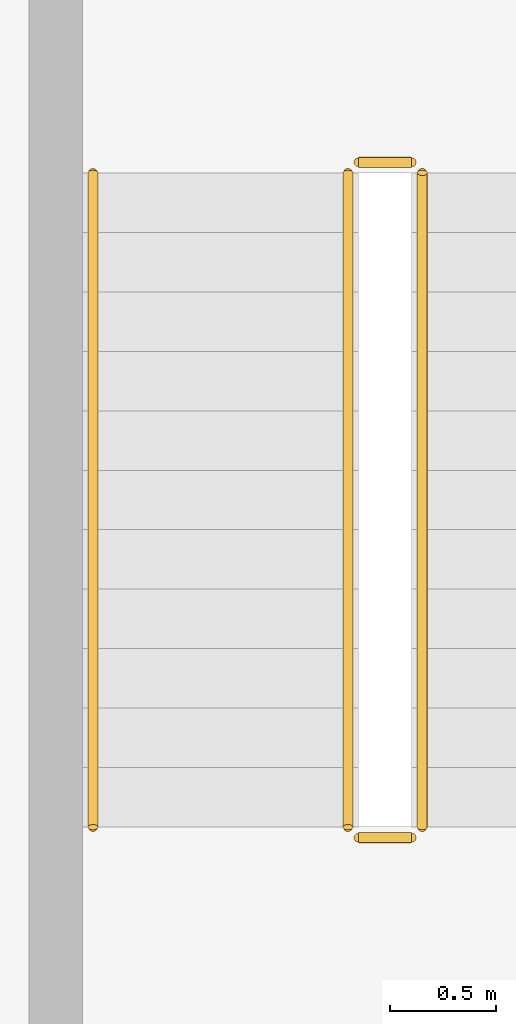
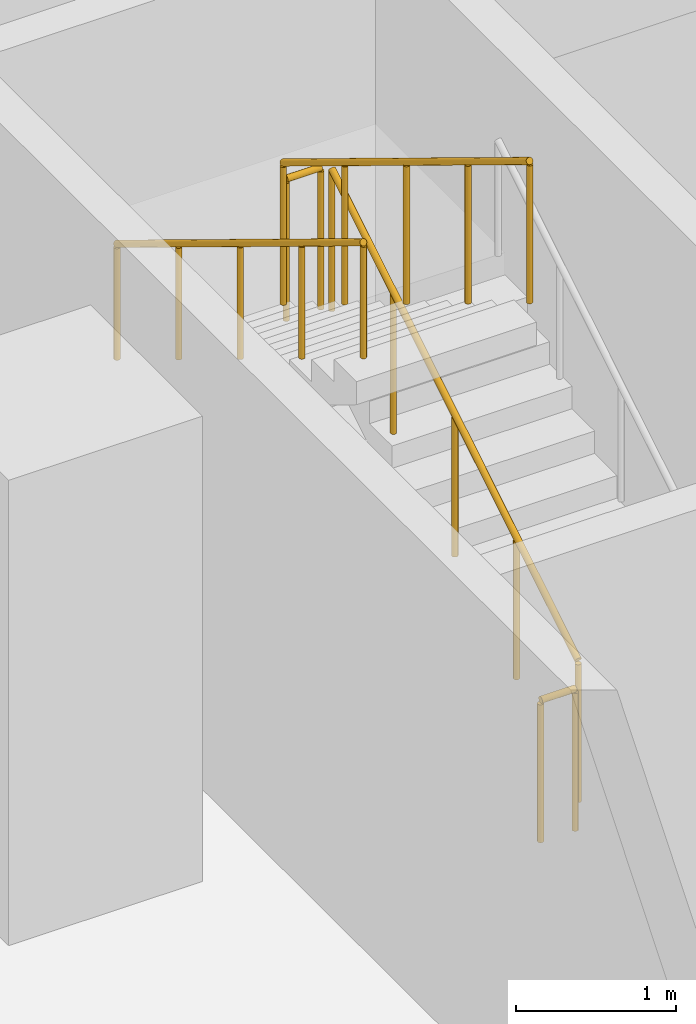
# One storey, part 26 of 29: 5 railings.
"""IFC4 building model written with IfcOpenShell, lengths in metres."""

import ifcopenshell
import ifcopenshell.guid

model = None  # the IFC model being written
_history = None  # IfcOwnerHistory: only IFC2X3 demands one
_inside = {}  # id of a spatial element -> (the spatial element, [elements in it])
_under = {}  # id of a project, library or spatial element -> (it, [spatial elements below it])
_declared = {}  # id of a project -> (the project, [libraries it declares])
_typed = {}  # id of a type object -> (the type object, [elements of that type])
_made_of = {}  # id of a material, layer set ... -> (it, [elements and type objects made of it])


def new_model(schema):
    """Start an empty IFC model of exactly this schema.

    Asked for "IFC4X3", IfcOpenShell would pick the latest addendum, in which some entities
    have other attributes; the version numbers below select the first issue.
    IFC2X3 requires an IfcOwnerHistory on every rooted entity: one is made here for all.
    """
    global model, _history
    if schema == "IFC4X3":
        model = ifcopenshell.file(schema_version=(4, 3, 0, 0))
    else:
        model = ifcopenshell.file(schema=schema)
    _inside.clear()
    _under.clear()
    _declared.clear()
    _typed.clear()
    _made_of.clear()
    _history = None
    if model.schema == "IFC2X3":
        org = make("IfcOrganization", Name="unknown")
        user = make(
            "IfcPersonAndOrganization",
            ThePerson=make("IfcPerson", FamilyName="unknown"),
            TheOrganization=org,
        )
        app = make(
            "IfcApplication",
            ApplicationDeveloper=org,
            Version="unknown",
            ApplicationFullName="unknown",
            ApplicationIdentifier="unknown",
        )
        _history = make(
            "IfcOwnerHistory",
            OwningUser=user,
            OwningApplication=app,
            ChangeAction="ADDED",
            CreationDate=0,
        )
    return model


def make(cls, **values):
    """One entity of the class cls with the attributes given. An attribute that is None is left unset."""
    return model.create_entity(
        cls, **{name: value for name, value in values.items() if value is not None}
    )


def rooted(cls, **values):
    """An entity with a GlobalId (a new one), such as an element, a storey or a relation."""
    return make(cls, GlobalId=ifcopenshell.guid.new(), OwnerHistory=_history, **values)


def si_unit(unit_type, name, prefix=None):
    """IfcSIUnit, for example si_unit("LENGTHUNIT", "METRE", prefix="MILLI")."""
    return make("IfcSIUnit", UnitType=unit_type, Prefix=prefix, Name=name)


def assignment(units):
    """IfcUnitAssignment: the units of a project."""
    return None if units is None else make("IfcUnitAssignment", Units=units)


def point(xyz):
    """IfcCartesianPoint."""
    return None if xyz is None else make("IfcCartesianPoint", Coordinates=xyz)


def direction(xyz):
    """IfcDirection."""
    return None if xyz is None else make("IfcDirection", DirectionRatios=xyz)


def frame(location, z_axis=None, x_axis=None):
    """IfcAxis2Placement3D, a coordinate frame: its origin and axes. An axis left out is left unset."""
    return make(
        "IfcAxis2Placement3D",
        Location=point(location),
        Axis=direction(z_axis),
        RefDirection=direction(x_axis),
    )


def frame_2d(location, x_axis=None):
    """IfcAxis2Placement2D, a coordinate frame in the plane: its origin and x axis."""
    return make(
        "IfcAxis2Placement2D", Location=point(location), RefDirection=direction(x_axis)
    )


def origin():
    """The frame at (0, 0, 0) with its axes left unset."""
    return frame((0.0, 0.0, 0.0))


def origin_2d():
    """The frame at (0, 0) in the plane with its x axis left unset."""
    return frame_2d((0.0, 0.0))


def place(relative_to, where):
    """IfcLocalPlacement: puts the frame where relative to a parent placement (None: the world)."""
    return make(
        "IfcLocalPlacement", PlacementRelTo=relative_to, RelativePlacement=where
    )


def context(
    kind, dimensions, precision=None, world=None, true_north=None, identifier=None
):
    """IfcGeometricRepresentationContext, for example the 3D "Model" context."""
    return make(
        "IfcGeometricRepresentationContext",
        ContextIdentifier=identifier,
        ContextType=kind,
        CoordinateSpaceDimension=dimensions,
        Precision=precision,
        WorldCoordinateSystem=world,
        TrueNorth=true_north,
    )


def subcontext(parent, identifier, kind, view, scale=None):
    """IfcGeometricRepresentationSubContext, for example "Body" below "Model"."""
    return make(
        "IfcGeometricRepresentationSubContext",
        ContextIdentifier=identifier,
        ContextType=kind,
        ParentContext=parent,
        TargetScale=scale,
        TargetView=view,
    )


def project(units=None, contexts=None):
    """IfcProject with its units and contexts."""
    return rooted(
        "IfcProject",
        Name="project",
        RepresentationContexts=contexts,
        UnitsInContext=assignment(units),
    )


def spatial(cls, under=None, at=None, **own):
    """A site, building, storey or space (cls), placed at a placement, below another one or the project."""
    s = rooted(cls, ObjectPlacement=at, **own)
    if under is not None:
        _under.setdefault(under.id(), (under, []))[1].append(s)
    return s


def profile(cls, at=None, kind="AREA", **sizes):
    """A parametric profile (cls). Its sizes go by their IFC names, for example OverallWidth=200.0."""
    return make(cls, ProfileType=kind, Position=at, **sizes)


def circle(**sizes):
    """IfcCircleProfileDef."""
    return profile("IfcCircleProfileDef", **sizes)


def extrude(swept, where, along, depth):
    """IfcExtrudedAreaSolid: the profile swept, set in the frame where, extruded along a direction by depth."""
    return make(
        "IfcExtrudedAreaSolid",
        SweptArea=swept,
        Position=where,
        ExtrudedDirection=direction(along),
        Depth=depth,
    )


def shape(context_of_items, identifier, shape_type, items):
    """IfcShapeRepresentation: the items that make up one representation, for example the "Body"."""
    return make(
        "IfcShapeRepresentation",
        ContextOfItems=context_of_items,
        RepresentationIdentifier=identifier,
        RepresentationType=shape_type,
        Items=items,
    )


def material(Name=None, Category=None):
    """IfcMaterial."""
    return make("IfcMaterial", Name=Name, Category=Category)


def made_of(thing, what):
    """Note that an element or type object is made of a material, layer set ...; save() writes the relation."""
    if what is not None:
        _made_of.setdefault(what.id(), (what, []))[1].append(thing)
    return thing


def type_object(cls, material=None, **own):
    """A type object (cls), such as IfcWallType, which elements share."""
    return made_of(rooted(cls, **own), material)


def element(
    cls,
    number,
    at=None,
    inside=None,
    cuts=None,
    type_object=None,
    material=None,
    context=None,
    identifier="Body",
    shape_type=None,
    held_by="IfcProductDefinitionShape",
    body=None,
    shapes=None,
    **own,
):
    """One element of the class cls, such as IfcWall. Its Tag is "e" and its number.

    at: its placement. inside: the storey or other place that contains it. cuts: it is an
    opening in that element (IfcRelVoidsElement). A single representation is given by context,
    identifier, shape_type and body (its items); several are given by shapes. held_by: the class
    of the entity that holds the representations. save() writes the other relations.
    """
    e = rooted(cls, Tag="e%d" % number, ObjectPlacement=at, **own)
    if body is not None:
        shapes = [shape(context, identifier, shape_type, body)]
    if shapes is not None:
        e.Representation = make(held_by, Representations=shapes)
    if inside is not None:
        _inside.setdefault(inside.id(), (inside, []))[1].append(e)
    if cuts is not None:
        rooted(
            "IfcRelVoidsElement", RelatingBuildingElement=cuts, RelatedOpeningElement=e
        )
    if type_object is not None:
        _typed.setdefault(type_object.id(), (type_object, []))[1].append(e)
    return made_of(e, material)


def aggregate(whole, parts):
    """IfcRelAggregates: a whole, such as a stair, and the parts it consists of."""
    return rooted("IfcRelAggregates", RelatingObject=whole, RelatedObjects=parts)


def save(model, path):
    """Write the relations noted so far, then the file.

    IfcRelAggregates (storeys below a building ...), IfcRelContainedInSpatialStructure (elements
    in a storey), IfcRelDefinesByType, IfcRelAssociatesMaterial and IfcRelDeclares: one each for
    every whole, place, type object, material and project.
    """
    for whole, parts in _under.values():
        aggregate(whole, parts)
    for where, things in _inside.values():
        rooted(
            "IfcRelContainedInSpatialStructure",
            RelatedElements=things,
            RelatingStructure=where,
        )
    for kind, things in _typed.values():
        rooted("IfcRelDefinesByType", RelatedObjects=things, RelatingType=kind)
    for what, things in _made_of.values():
        rooted("IfcRelAssociatesMaterial", RelatedObjects=things, RelatingMaterial=what)
    for by, libraries in _declared.values():
        rooted("IfcRelDeclares", RelatingContext=by, RelatedDefinitions=libraries)
    model.write(path)


model = new_model("IFC4")

# Units and contexts
model_context = context("Model", 3, precision=1e-05, world=origin(), true_north=direction((0.0, 1.0)))
body_context = subcontext(model_context, "Body", "Model", "MODEL_VIEW")
ifc_project = project(units=[si_unit("LENGTHUNIT", "METRE"), si_unit("AREAUNIT", "SQUARE_METRE"), si_unit("VOLUMEUNIT", "CUBIC_METRE"), si_unit("PLANEANGLEUNIT", "RADIAN"), si_unit("MASSUNIT", "GRAM", prefix="KILO")], contexts=[model_context])

# Site, building, storey
site_placement = place(None, origin())
site = spatial("IfcSite", under=ifc_project, at=site_placement, CompositionType="ELEMENT")
building_placement = place(site_placement, origin())
building = spatial("IfcBuilding", under=site, at=building_placement, Name="Mahtab Terrace Research Tower", CompositionType="ELEMENT")
storey_placement = place(building_placement, frame((0.0, 0.0, 113.5)))
storey = spatial("IfcBuildingStorey", under=building, at=storey_placement, Name="L26", CompositionType="ELEMENT", Elevation=113.5)

# Railings
ifc_material = material(Name="Stainless steel AISI 304", Category="steel")
railing_type_1 = type_object("IfcRailingType", Name="Stair guard 1100", PredefinedType="GUARDRAIL", material=ifc_material)
railing_1_placement = place(storey_placement, frame((21.050048828125, 10.175048828125, 0.1708984375)))
element("IfcRailing", 1, at=railing_1_placement, inside=storey, type_object=railing_type_1, Name="L26 ST3 stair guard 1", PredefinedType="GUARDRAIL", context=body_context, shape_type="SweptSolid", body=[
    extrude(circle(Radius=0.02392578125, at=origin_2d()), frame((0.0, 0.0, 1.076171875), z_axis=(0.0, 0.853647949592, 0.520850437417), x_axis=(-1.0, 0.0, 0.0)), (0.0, 0.0, 1.0), 3.60791015625),
    extrude(circle(Radius=0.02099609375, at=origin_2d()), origin(), (0.0, 0.0, 1.0), 1.052001953125),
    extrude(circle(Radius=0.02099609375, at=origin_2d()), frame((0.0, 0.77001953125, 0.4697265625)), (0.0, 0.0, 1.0), 1.052001953125),
    extrude(circle(Radius=0.02099609375, at=origin_2d()), frame((0.0, 1.5400390625, 0.939453125)), (0.0, 0.0, 1.0), 1.052001953125),
    extrude(circle(Radius=0.02099609375, at=origin_2d()), frame((0.0, 2.309814453125, 1.409423828125)), (0.0, 0.0, 1.0), 1.052001953125),
    extrude(circle(Radius=0.02099609375, at=origin_2d()), frame((0.0, 3.079833984375, 1.879150390625)), (0.0, 0.0, 1.0), 1.052001953125),
])
railing_2_placement = place(storey_placement, frame((21.0, 13.304931640625, 2.050048828125)))
element("IfcRailing", 2, at=railing_2_placement, inside=storey, type_object=railing_type_1, Name="L26 ST3 stair guard 2", PredefinedType="GUARDRAIL", context=body_context, shape_type="SweptSolid", body=[
    extrude(circle(Radius=0.02392578125, at=origin_2d()), frame((0.0, 0.0, 1.076171875), z_axis=(-1.0, 0.0, 0.0), x_axis=(0.0, -1.0, 0.0)), (0.0, 0.0, 1.0), 0.25),
    extrude(circle(Radius=0.02099609375, at=origin_2d()), origin(), (0.0, 0.0, 1.0), 1.052001953125),
    extrude(circle(Radius=0.02099609375, at=origin_2d()), frame((-0.25, 0.0, 0.0)), (0.0, 0.0, 1.0), 1.052001953125),
])
railing_3_placement = place(storey_placement, frame((20.699951171875, 13.2548828125, 2.220947265625)))
element("IfcRailing", 3, at=railing_3_placement, inside=storey, type_object=railing_type_1, Name="L26 ST3 stair guard 3", PredefinedType="GUARDRAIL", context=body_context, shape_type="SweptSolid", body=[
    extrude(circle(Radius=0.02392578125, at=origin_2d()), frame((0.0, 0.0, 1.076171875), z_axis=(0.0, -0.853647949592, 0.520850437417), x_axis=(1.0, 0.0, 0.0)), (0.0, 0.0, 1.0), 3.60791015625),
    extrude(circle(Radius=0.02099609375, at=origin_2d()), origin(), (0.0, 0.0, 1.0), 1.052001953125),
    extrude(circle(Radius=0.02099609375, at=origin_2d()), frame((0.0, -0.77001953125, 0.4697265625)), (0.0, 0.0, 1.0), 1.052001953125),
    extrude(circle(Radius=0.02099609375, at=origin_2d()), frame((0.0, -1.5400390625, 0.939453125)), (0.0, 0.0, 1.0), 1.052001953125),
    extrude(circle(Radius=0.02099609375, at=origin_2d()), frame((0.0, -2.309814453125, 1.409423828125)), (0.0, 0.0, 1.0), 1.052001953125),
    extrude(circle(Radius=0.02099609375, at=origin_2d()), frame((0.0, -3.079833984375, 1.879150390625)), (0.0, 0.0, 1.0), 1.052001953125),
])
railing_4_placement = place(storey_placement, frame((21.0, 10.125, 0.0)))
element("IfcRailing", 4, at=railing_4_placement, inside=storey, type_object=railing_type_1, Name="L26 ST3 stair guard 4", PredefinedType="GUARDRAIL", context=body_context, shape_type="SweptSolid", body=[
    extrude(circle(Radius=0.02392578125, at=origin_2d()), frame((0.0, 0.0, 1.076171875), z_axis=(-1.0, 0.0, 0.0), x_axis=(0.0, -1.0, 0.0)), (0.0, 0.0, 1.0), 0.25),
    extrude(circle(Radius=0.02099609375, at=origin_2d()), origin(), (0.0, 0.0, 1.0), 1.052001953125),
    extrude(circle(Radius=0.02099609375, at=origin_2d()), frame((-0.25, 0.0, 0.0)), (0.0, 0.0, 1.0), 1.052001953125),
])
railing_type_2 = type_object("IfcRailingType", Name="Stair handrail 900", PredefinedType="HANDRAIL", material=ifc_material)
railing_5_placement = place(storey_placement, frame((19.5, 13.2548828125, 2.220947265625)))
element("IfcRailing", 5, at=railing_5_placement, inside=storey, type_object=railing_type_2, Name="L26 ST3 stair handrail 2", PredefinedType="HANDRAIL", context=body_context, shape_type="SweptSolid", body=[
    extrude(circle(Radius=0.02392578125, at=origin_2d()), frame((0.0, 0.0, 0.8759765625), z_axis=(0.0, -0.853647949592, 0.520850437417), x_axis=(1.0, 0.0, 0.0)), (0.0, 0.0, 1.0), 3.60791015625),
    extrude(circle(Radius=0.02099609375, at=origin_2d()), origin(), (0.0, 0.0, 1.0), 0.851806640625),
    extrude(circle(Radius=0.02099609375, at=origin_2d()), frame((0.0, -0.77001953125, 0.4697265625)), (0.0, 0.0, 1.0), 0.851806640625),
    extrude(circle(Radius=0.02099609375, at=origin_2d()), frame((0.0, -1.5400390625, 0.939453125)), (0.0, 0.0, 1.0), 0.851806640625),
    extrude(circle(Radius=0.02099609375, at=origin_2d()), frame((0.0, -2.309814453125, 1.409423828125)), (0.0, 0.0, 1.0), 0.851806640625),
    extrude(circle(Radius=0.02099609375, at=origin_2d()), frame((0.0, -3.079833984375, 1.879150390625)), (0.0, 0.0, 1.0), 0.851806640625),
])

save(model, "model.ifc")
